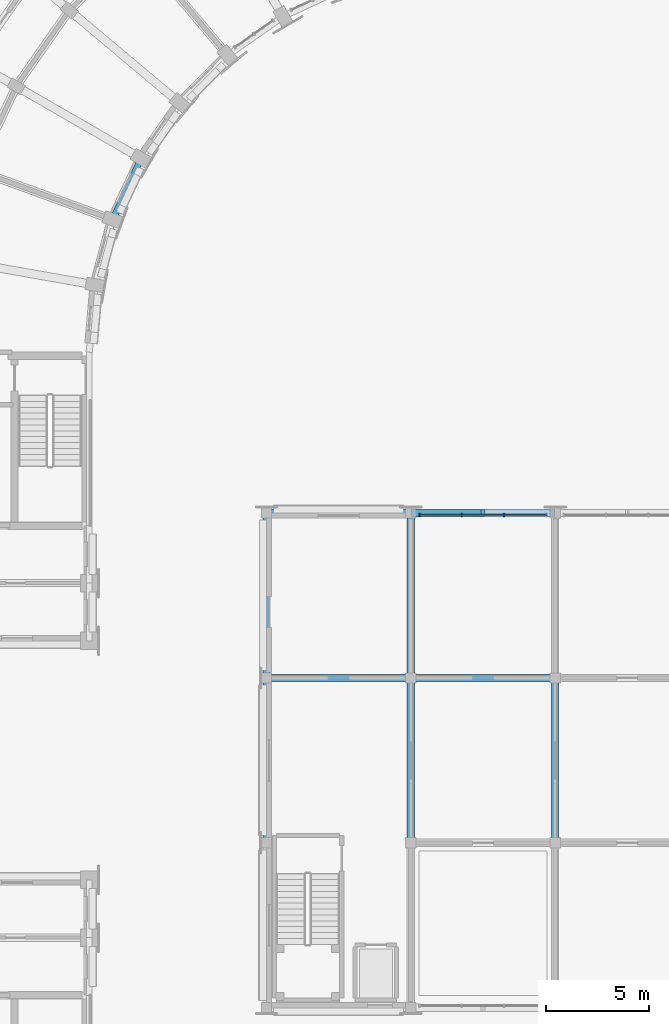
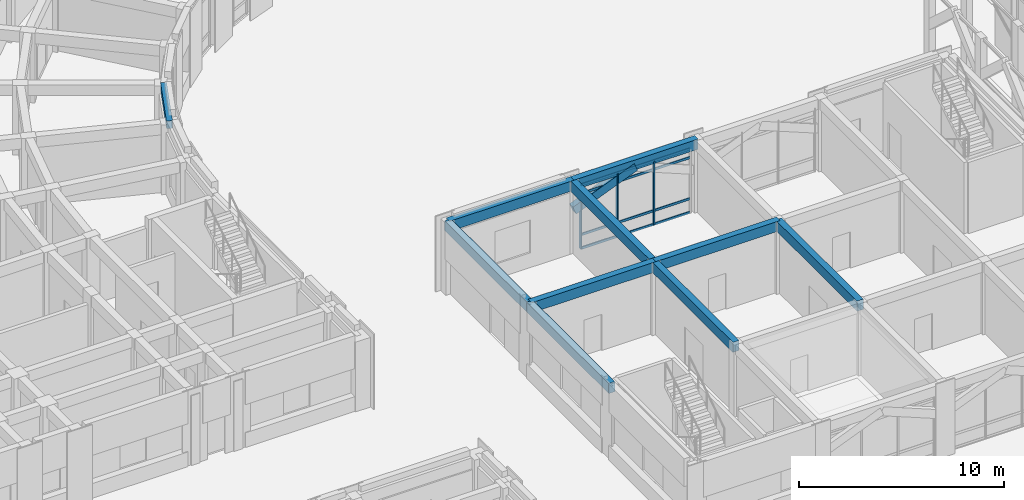
# One storey, part 35 of 135: 11 beams, 7 members, 1 element without a shape of its own.
"""IFC4 building model written with IfcOpenShell, lengths in metres."""

import ifcopenshell
import ifcopenshell.guid

model = None  # the IFC model being written
_history = None  # IfcOwnerHistory: only IFC2X3 demands one
_inside = {}  # id of a spatial element -> (the spatial element, [elements in it])
_under = {}  # id of a project, library or spatial element -> (it, [spatial elements below it])
_declared = {}  # id of a project -> (the project, [libraries it declares])
_typed = {}  # id of a type object -> (the type object, [elements of that type])
_made_of = {}  # id of a material, layer set ... -> (it, [elements and type objects made of it])


def new_model(schema):
    """Start an empty IFC model of exactly this schema.

    Asked for "IFC4X3", IfcOpenShell would pick the latest addendum, in which some entities
    have other attributes; the version numbers below select the first issue.
    IFC2X3 requires an IfcOwnerHistory on every rooted entity: one is made here for all.
    """
    global model, _history
    if schema == "IFC4X3":
        model = ifcopenshell.file(schema_version=(4, 3, 0, 0))
    else:
        model = ifcopenshell.file(schema=schema)
    _inside.clear()
    _under.clear()
    _declared.clear()
    _typed.clear()
    _made_of.clear()
    _history = None
    if model.schema == "IFC2X3":
        org = make("IfcOrganization", Name="unknown")
        user = make(
            "IfcPersonAndOrganization",
            ThePerson=make("IfcPerson", FamilyName="unknown"),
            TheOrganization=org,
        )
        app = make(
            "IfcApplication",
            ApplicationDeveloper=org,
            Version="unknown",
            ApplicationFullName="unknown",
            ApplicationIdentifier="unknown",
        )
        _history = make(
            "IfcOwnerHistory",
            OwningUser=user,
            OwningApplication=app,
            ChangeAction="ADDED",
            CreationDate=0,
        )
    return model


def make(cls, **values):
    """One entity of the class cls with the attributes given. An attribute that is None is left unset."""
    return model.create_entity(
        cls, **{name: value for name, value in values.items() if value is not None}
    )


def rooted(cls, **values):
    """An entity with a GlobalId (a new one), such as an element, a storey or a relation."""
    return make(cls, GlobalId=ifcopenshell.guid.new(), OwnerHistory=_history, **values)


def si_unit(unit_type, name, prefix=None):
    """IfcSIUnit, for example si_unit("LENGTHUNIT", "METRE", prefix="MILLI")."""
    return make("IfcSIUnit", UnitType=unit_type, Prefix=prefix, Name=name)


def assignment(units):
    """IfcUnitAssignment: the units of a project."""
    return None if units is None else make("IfcUnitAssignment", Units=units)


def point(xyz):
    """IfcCartesianPoint."""
    return None if xyz is None else make("IfcCartesianPoint", Coordinates=xyz)


def direction(xyz):
    """IfcDirection."""
    return None if xyz is None else make("IfcDirection", DirectionRatios=xyz)


def frame(location, z_axis=None, x_axis=None):
    """IfcAxis2Placement3D, a coordinate frame: its origin and axes. An axis left out is left unset."""
    return make(
        "IfcAxis2Placement3D",
        Location=point(location),
        Axis=direction(z_axis),
        RefDirection=direction(x_axis),
    )


def frame_2d(location, x_axis=None):
    """IfcAxis2Placement2D, a coordinate frame in the plane: its origin and x axis."""
    return make(
        "IfcAxis2Placement2D", Location=point(location), RefDirection=direction(x_axis)
    )


def origin():
    """The frame at (0, 0, 0) with its axes left unset."""
    return frame((0.0, 0.0, 0.0))


def origin_2d():
    """The frame at (0, 0) in the plane with its x axis left unset."""
    return frame_2d((0.0, 0.0))


def place(relative_to, where):
    """IfcLocalPlacement: puts the frame where relative to a parent placement (None: the world)."""
    return make(
        "IfcLocalPlacement", PlacementRelTo=relative_to, RelativePlacement=where
    )


def context(
    kind, dimensions, precision=None, world=None, true_north=None, identifier=None
):
    """IfcGeometricRepresentationContext, for example the 3D "Model" context."""
    return make(
        "IfcGeometricRepresentationContext",
        ContextIdentifier=identifier,
        ContextType=kind,
        CoordinateSpaceDimension=dimensions,
        Precision=precision,
        WorldCoordinateSystem=world,
        TrueNorth=true_north,
    )


def subcontext(parent, identifier, kind, view, scale=None):
    """IfcGeometricRepresentationSubContext, for example "Body" below "Model"."""
    return make(
        "IfcGeometricRepresentationSubContext",
        ContextIdentifier=identifier,
        ContextType=kind,
        ParentContext=parent,
        TargetScale=scale,
        TargetView=view,
    )


def project(units=None, contexts=None):
    """IfcProject with its units and contexts."""
    return rooted(
        "IfcProject",
        Name="project",
        RepresentationContexts=contexts,
        UnitsInContext=assignment(units),
    )


def spatial(cls, under=None, at=None, **own):
    """A site, building, storey or space (cls), placed at a placement, below another one or the project."""
    s = rooted(cls, ObjectPlacement=at, **own)
    if under is not None:
        _under.setdefault(under.id(), (under, []))[1].append(s)
    return s


def profile(cls, at=None, kind="AREA", **sizes):
    """A parametric profile (cls). Its sizes go by their IFC names, for example OverallWidth=200.0."""
    return make(cls, ProfileType=kind, Position=at, **sizes)


def rectangle(**sizes):
    """IfcRectangleProfileDef."""
    return profile("IfcRectangleProfileDef", **sizes)


def extrude(swept, where, along, depth):
    """IfcExtrudedAreaSolid: the profile swept, set in the frame where, extruded along a direction by depth."""
    return make(
        "IfcExtrudedAreaSolid",
        SweptArea=swept,
        Position=where,
        ExtrudedDirection=direction(along),
        Depth=depth,
    )


def shape(context_of_items, identifier, shape_type, items):
    """IfcShapeRepresentation: the items that make up one representation, for example the "Body"."""
    return make(
        "IfcShapeRepresentation",
        ContextOfItems=context_of_items,
        RepresentationIdentifier=identifier,
        RepresentationType=shape_type,
        Items=items,
    )


def material(Name=None, Category=None):
    """IfcMaterial."""
    return make("IfcMaterial", Name=Name, Category=Category)


def material_profile(
    of_material, cross_section, Name=None, Category=None, Priority=None
):
    """IfcMaterialProfile: a cross section and its material."""
    return make(
        "IfcMaterialProfile",
        Name=Name,
        Material=of_material,
        Profile=cross_section,
        Priority=Priority,
        Category=Category,
    )


def profile_set(profiles, Name=None, composite=None):
    """IfcMaterialProfileSet."""
    return make(
        "IfcMaterialProfileSet",
        Name=Name,
        MaterialProfiles=profiles,
        CompositeProfile=composite,
    )


def made_of(thing, what):
    """Note that an element or type object is made of a material, layer set ...; save() writes the relation."""
    if what is not None:
        _made_of.setdefault(what.id(), (what, []))[1].append(thing)
    return thing


def type_object(cls, material=None, **own):
    """A type object (cls), such as IfcWallType, which elements share."""
    return made_of(rooted(cls, **own), material)


def element(
    cls,
    number,
    at=None,
    inside=None,
    cuts=None,
    type_object=None,
    material=None,
    context=None,
    identifier="Body",
    shape_type=None,
    held_by="IfcProductDefinitionShape",
    body=None,
    shapes=None,
    **own,
):
    """One element of the class cls, such as IfcWall. Its Tag is "e" and its number.

    at: its placement. inside: the storey or other place that contains it. cuts: it is an
    opening in that element (IfcRelVoidsElement). A single representation is given by context,
    identifier, shape_type and body (its items); several are given by shapes. held_by: the class
    of the entity that holds the representations. save() writes the other relations.
    """
    e = rooted(cls, Tag="e%d" % number, ObjectPlacement=at, **own)
    if body is not None:
        shapes = [shape(context, identifier, shape_type, body)]
    if shapes is not None:
        e.Representation = make(held_by, Representations=shapes)
    if inside is not None:
        _inside.setdefault(inside.id(), (inside, []))[1].append(e)
    if cuts is not None:
        rooted(
            "IfcRelVoidsElement", RelatingBuildingElement=cuts, RelatedOpeningElement=e
        )
    if type_object is not None:
        _typed.setdefault(type_object.id(), (type_object, []))[1].append(e)
    return made_of(e, material)


def aggregate(whole, parts):
    """IfcRelAggregates: a whole, such as a stair, and the parts it consists of."""
    return rooted("IfcRelAggregates", RelatingObject=whole, RelatedObjects=parts)


def save(model, path):
    """Write the relations noted so far, then the file.

    IfcRelAggregates (storeys below a building ...), IfcRelContainedInSpatialStructure (elements
    in a storey), IfcRelDefinesByType, IfcRelAssociatesMaterial and IfcRelDeclares: one each for
    every whole, place, type object, material and project.
    """
    for whole, parts in _under.values():
        aggregate(whole, parts)
    for where, things in _inside.values():
        rooted(
            "IfcRelContainedInSpatialStructure",
            RelatedElements=things,
            RelatingStructure=where,
        )
    for kind, things in _typed.values():
        rooted("IfcRelDefinesByType", RelatedObjects=things, RelatingType=kind)
    for what, things in _made_of.values():
        rooted("IfcRelAssociatesMaterial", RelatedObjects=things, RelatingMaterial=what)
    for by, libraries in _declared.values():
        rooted("IfcRelDeclares", RelatingContext=by, RelatedDefinitions=libraries)
    model.write(path)


model = new_model("IFC4")

# Units and contexts
model_context = context("Model", 3, precision=1e-05, world=origin(), true_north=direction((0.0, 1.0)))
body_context = subcontext(model_context, "Body", "Model", "MODEL_VIEW")
ifc_project = project(units=[si_unit("LENGTHUNIT", "METRE"), si_unit("AREAUNIT", "SQUARE_METRE"), si_unit("VOLUMEUNIT", "CUBIC_METRE"), si_unit("PLANEANGLEUNIT", "RADIAN"), si_unit("MASSUNIT", "GRAM", prefix="KILO")], contexts=[model_context])

# Site, building, storey
site_placement = place(None, origin())
site = spatial("IfcSite", under=ifc_project, at=site_placement, CompositionType="ELEMENT")
building_placement = place(site_placement, origin())
building = spatial("IfcBuilding", under=site, at=building_placement, Name="Kiranvali Square Residences", CompositionType="ELEMENT")
storey_placement = place(building_placement, origin())
storey = spatial("IfcBuildingStorey", under=building, at=storey_placement, Name="L00", CompositionType="ELEMENT", Elevation=0.0)

# Beams
ifc_material_1 = material(Name="Concrete M40 (40 MPa)", Category="concrete")
ifc_material_profile_1 = material_profile(ifc_material_1, rectangle(XDim=0.35009765625, YDim=0.5, at=origin_2d()), Name="RC 350x500")
ifc_profile_set_1 = profile_set([ifc_material_profile_1], Name="Concrete M40 (40 MPa)")
beam_type_1 = type_object("IfcBeamType", Name="AR-M40-350x500", PredefinedType="USERDEFINED", material=ifc_profile_set_1)
beam_1_placement = place(storey_placement, frame((45.0400390625, 80.0, 2.449951171875), z_axis=(0.926976058065, 0.0, 0.375120497672), x_axis=(0.0, 1.0, 0.0)))
element("IfcBeam", 1, at=beam_1_placement, inside=storey, type_object=beam_type_1, Name="Classical pointed Ottoman arch rib ARCH-NR-S3-1.1", ObjectType="ARCH RIB", PredefinedType="USERDEFINED", context=body_context, shape_type="SweptSolid", body=[
    extrude(rectangle(XDim=0.35009765625, YDim=0.5, at=origin_2d()), origin(), (0.0, 0.0, 1.0), 3.732421875),
])
ifc_material_profile_2 = material_profile(ifc_material_1, rectangle(XDim=0.35009765625, YDim=0.60009765625, at=origin_2d()), Name="RC 350x600")
ifc_profile_set_2 = profile_set([ifc_material_profile_2], Name="Concrete M40 (40 MPa)")
beam_type_2 = type_object("IfcBeamType", Name="BM-M40-350x600", PredefinedType="BEAM", material=ifc_profile_set_2)
for number, where, z_axis, x_axis, name in (
    (2, (38.0, 72.0, 3.97998046875), (1.0, 0.0, 0.0), (0.0, 1.0, 0.0), "L00 beam BM-NR-L00-X0-2"),
    (3, (45.0, 72.0, 3.97998046875), (1.0, 0.0, 0.0), (0.0, 1.0, 0.0), "L00 beam BM-NR-L00-X1-2"),
    (4, (38.0, 80.0, 3.97998046875), (1.0, 0.0, 0.0), (0.0, 1.0, 0.0), "L00 beam BM-NR-L00-X0-3"),
    (5, (45.0, 80.0, 3.97998046875), (1.0, 0.0, 0.0), (0.0, 1.0, 0.0), "L00 beam BM-NR-L00-X1-3"),
):
    element("IfcBeam", number, at=place(storey_placement, frame(where, z_axis=z_axis, x_axis=x_axis)), inside=storey, type_object=beam_type_2, Name=name, PredefinedType="BEAM", context=body_context, shape_type="SweptSolid", body=[
        extrude(rectangle(XDim=0.35009765625, YDim=0.60009765625, at=origin_2d()), origin(), (0.0, 0.0, 1.0), 7.0),
    ])
for number, where, z_axis, x_axis, name in (
    (6, (38.0, 64.0, 3.97998046875), (0.0, 1.0, 0.0), (-1.0, 0.0, 0.0), "L00 beam BM-NR-L00-Y0-1"),
    (7, (38.0, 72.0, 3.97998046875), (0.0, 1.0, 0.0), (-1.0, 0.0, 0.0), "L00 beam BM-NR-L00-Y0-2"),
    (8, (45.0, 64.0, 3.97998046875), (0.0, 1.0, 0.0), (-1.0, 0.0, 0.0), "L00 beam BM-NR-L00-Y1-1"),
    (9, (45.0, 72.0, 3.97998046875), (0.0, 1.0, 0.0), (-1.0, 0.0, 0.0), "L00 beam BM-NR-L00-Y1-2"),
    (10, (52.0, 64.0, 3.97998046875), (0.0, 1.0, 0.0), (-1.0, 0.0, 0.0), "L00 beam BM-NR-L00-Y2-1"),
):
    element("IfcBeam", number, at=place(storey_placement, frame(where, z_axis=z_axis, x_axis=x_axis)), inside=storey, type_object=beam_type_2, Name=name, PredefinedType="BEAM", context=body_context, shape_type="SweptSolid", body=[
        extrude(rectangle(XDim=0.35009765625, YDim=0.60009765625, at=origin_2d()), origin(), (0.0, 0.0, 1.0), 8.0),
    ])

# Curtain wall, members
ifc_material_2 = material(Name="Anodised bronze aluminium framing", Category="aluminium")
curtain_wall_type = type_object("IfcCurtainWallType", Name="CW-PAV-GLZ", PredefinedType="USERDEFINED", material=ifc_material_2)
curtain_wall_placement = place(storey_placement, origin())
curtain_wall = element("IfcCurtainWall", 11, at=curtain_wall_placement, inside=storey, type_object=curtain_wall_type, Name="Nursery Pavilion north arcade curtain wall 2", ObjectType="CURTAIN WALL", PredefinedType="USERDEFINED")
ifc_material_profile_3 = material_profile(ifc_material_2, rectangle(XDim=0.06494140625, YDim=0.159912109375, at=origin_2d()), Name="ALU 65x160")
ifc_profile_set_3 = profile_set([ifc_material_profile_3], Name="Anodised bronze aluminium framing")
member_type_1 = type_object("IfcMemberType", Name="CW-MUL-160", PredefinedType="MULLION", material=ifc_profile_set_3)
member_1_placement = place(storey_placement, frame((45.419921875, 79.89990234375, 0.02001953125), z_axis=(0.0, 0.0, 1.0), x_axis=(1.0, 0.0, 0.0)))
member_1 = element("IfcMember", 12, at=member_1_placement, type_object=member_type_1, Name="CW-NR-N0-1 vertical mullion 1", PredefinedType="MULLION", context=body_context, shape_type="SweptSolid", body=[
    extrude(rectangle(XDim=0.06494140625, YDim=0.159912109375, at=origin_2d()), origin(), (0.0, 0.0, 1.0), 3.81005859375),
])
member_2_placement = place(storey_placement, frame((47.473388671875, 79.89990234375, 0.02001953125), z_axis=(0.0, 0.0, 1.0), x_axis=(1.0, 0.0, 0.0)))
member_2 = element("IfcMember", 13, at=member_2_placement, type_object=member_type_1, Name="CW-NR-N0-1 vertical mullion 2", PredefinedType="MULLION", context=body_context, shape_type="SweptSolid", body=[
    extrude(rectangle(XDim=0.06494140625, YDim=0.159912109375, at=origin_2d()), origin(), (0.0, 0.0, 1.0), 3.81005859375),
])
member_3_placement = place(storey_placement, frame((49.526611328125, 79.89990234375, 0.02001953125), z_axis=(0.0, 0.0, 1.0), x_axis=(1.0, 0.0, 0.0)))
member_3 = element("IfcMember", 14, at=member_3_placement, type_object=member_type_1, Name="CW-NR-N0-1 vertical mullion 3", PredefinedType="MULLION", context=body_context, shape_type="SweptSolid", body=[
    extrude(rectangle(XDim=0.06494140625, YDim=0.159912109375, at=origin_2d()), origin(), (0.0, 0.0, 1.0), 3.81005859375),
])
ifc_material_profile_4 = material_profile(ifc_material_2, rectangle(XDim=0.06494140625, YDim=0.139892578125, at=origin_2d()), Name="ALU 65x140")
ifc_profile_set_4 = profile_set([ifc_material_profile_4], Name="Anodised bronze aluminium framing")
member_type_2 = type_object("IfcMemberType", Name="CW-TRN-140", PredefinedType="MULLION", material=ifc_profile_set_4)
member_4_placement = place(storey_placement, frame((45.429931640625, 79.89990234375, 0.0400390625), z_axis=(1.0, 0.0, 0.0), x_axis=(0.0, 1.0, 0.0)))
member_4 = element("IfcMember", 15, at=member_4_placement, type_object=member_type_2, Name="CW-NR-N0-1 horizontal transom 1", PredefinedType="MULLION", context=body_context, shape_type="SweptSolid", body=[
    extrude(rectangle(XDim=0.06494140625, YDim=0.139892578125, at=origin_2d()), origin(), (0.0, 0.0, 1.0), 6.14013671875),
])
member_5_placement = place(storey_placement, frame((45.429931640625, 79.89990234375, 0.85009765625), z_axis=(1.0, 0.0, 0.0), x_axis=(0.0, 1.0, 0.0)))
member_5 = element("IfcMember", 16, at=member_5_placement, type_object=member_type_2, Name="CW-NR-N0-1 horizontal transom 2", PredefinedType="MULLION", context=body_context, shape_type="SweptSolid", body=[
    extrude(rectangle(XDim=0.06494140625, YDim=0.139892578125, at=origin_2d()), origin(), (0.0, 0.0, 1.0), 6.14013671875),
])
member_6_placement = place(storey_placement, frame((45.429931640625, 79.89990234375, 3.300048828125), z_axis=(1.0, 0.0, 0.0), x_axis=(0.0, 1.0, 0.0)))
member_6 = element("IfcMember", 17, at=member_6_placement, type_object=member_type_2, Name="CW-NR-N0-1 horizontal transom 3", PredefinedType="MULLION", context=body_context, shape_type="SweptSolid", body=[
    extrude(rectangle(XDim=0.06494140625, YDim=0.139892578125, at=origin_2d()), origin(), (0.0, 0.0, 1.0), 6.14013671875),
])
member_7_placement = place(storey_placement, frame((45.429931640625, 79.89990234375, 3.81005859375), z_axis=(1.0, 0.0, 0.0), x_axis=(0.0, 1.0, 0.0)))
member_7 = element("IfcMember", 18, at=member_7_placement, type_object=member_type_2, Name="CW-NR-N0-1 horizontal transom 4", PredefinedType="MULLION", context=body_context, shape_type="SweptSolid", body=[
    extrude(rectangle(XDim=0.06494140625, YDim=0.139892578125, at=origin_2d()), origin(), (0.0, 0.0, 1.0), 6.14013671875),
])
aggregate(curtain_wall, [member_1, member_2, member_3, member_4, member_5, member_6, member_7])

# Beam
ifc_material_profile_5 = material_profile(ifc_material_1, rectangle(XDim=0.300048828125, YDim=0.449951171875, at=origin_2d()), Name="RC 300x450")
ifc_profile_set_5 = profile_set([ifc_material_profile_5], Name="Concrete M40 (40 MPa)")
beam_type_3 = type_object("IfcBeamType", Name="SPN-M40-300x450", PredefinedType="SPANDREL", material=ifc_profile_set_5)
beam_2_placement = place(storey_placement, frame((31.918701171875, 97.199951171875, 3.925048828125), z_axis=(-0.422640740585, -0.90629730464, 0.0), x_axis=(0.90629730464, -0.422640740585, 0.0)))
element("IfcBeam", 19, at=beam_2_placement, inside=storey, type_object=beam_type_3, Name="L00 beam BM-A-L00-C06-R0", PredefinedType="SPANDREL", context=body_context, shape_type="SweptSolid", body=[
    extrude(rectangle(XDim=0.300048828125, YDim=0.449951171875, at=origin_2d()), origin(), (0.0, 0.0, 1.0), 3.277099609375),
])

save(model, "model.ifc")
